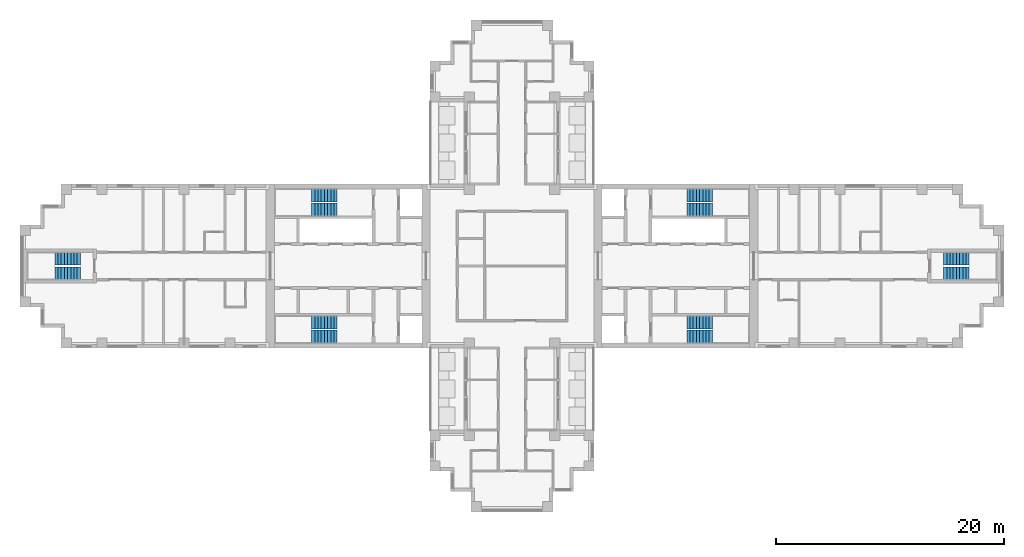
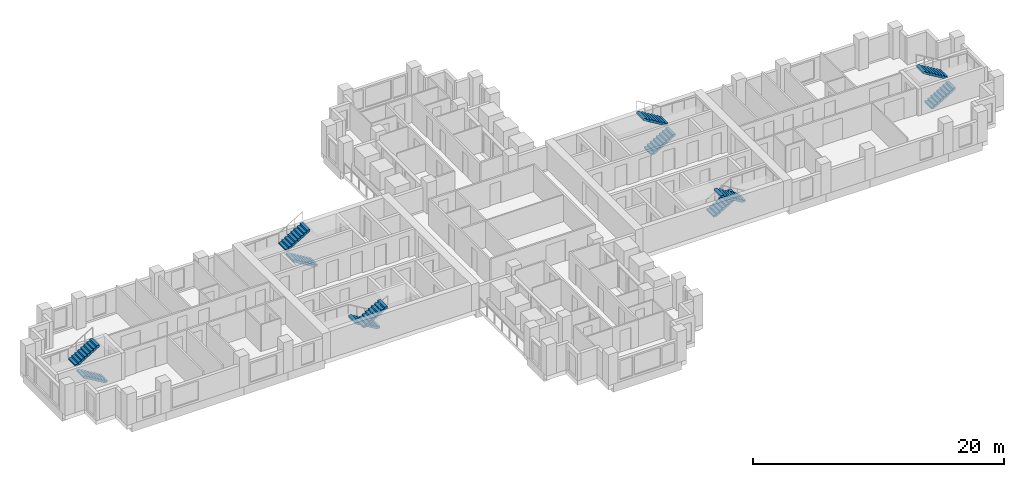
# One storey, part 10 of 12: 12 stair flights, 6 elements without a shape of their own.
"""IFC4 building model written with IfcOpenShell, lengths in metres."""

from ifc_helpers import new_model, si_unit, direction, frame, origin, place, context, subcontext, project, spatial, polyline, outline, extrude, material, type_object, element, aggregate, save


model = new_model("IFC4")

# Units and contexts
model_context = context("Model", 3, precision=1e-05, world=origin(), true_north=direction((0.0, 1.0)))
body_context = subcontext(model_context, "Body", "Model", "MODEL_VIEW")
ifc_project = project(units=[si_unit("LENGTHUNIT", "METRE"), si_unit("AREAUNIT", "SQUARE_METRE"), si_unit("VOLUMEUNIT", "CUBIC_METRE"), si_unit("PLANEANGLEUNIT", "RADIAN"), si_unit("MASSUNIT", "GRAM", prefix="KILO")], contexts=[model_context])

# Site, building, storey
site_placement = place(None, origin())
site = spatial("IfcSite", under=ifc_project, at=site_placement, CompositionType="ELEMENT")
building_placement = place(site_placement, origin())
building = spatial("IfcBuilding", under=site, at=building_placement, Name="Fustian Cross Tower", CompositionType="ELEMENT")
storey_placement = place(building_placement, frame((0.0, 0.0, 147.300048828125)))
storey = spatial("IfcBuildingStorey", under=building, at=storey_placement, Name="L46", CompositionType="ELEMENT", Elevation=147.300048828125)

# Stair, stair flights
ifc_material_1 = material(Name="Concrete C50/60", Category="concrete")
stair_type_1 = type_object("IfcStairType", Name="STAIR 1100 HALF TURN", PredefinedType="HALF_TURN_STAIR", material=ifc_material_1)
stair_1_placement = place(storey_placement, origin())
stair_1 = element("IfcStair", 1, at=stair_1_placement, inside=storey, type_object=stair_type_1, Name="Stair ST8", PredefinedType="HALF_TURN_STAIR")
ifc_material_2 = material(Name="Concrete C50/60", Category="concrete")
stair_flight_type_1 = type_object("IfcStairFlightType", Name="STAIR FLIGHT 1100", PredefinedType="STRAIGHT", material=ifc_material_2)
stair_flight_1_placement = place(storey_placement, frame((37.89990234375, -0.64990234375, 0.0), z_axis=(0.0, 0.0, 1.0), x_axis=(1.0, 0.0, 0.0)))
stair_flight_1 = element("IfcStairFlight", 2, at=stair_flight_1_placement, type_object=stair_flight_type_1, Name="ST8 flight 1", NumberOfRisers=9, NumberOfTreads=8, PredefinedType="STRAIGHT", RiserHeight=0.166666667, TreadLength=0.28, context=body_context, shape_type="SweptSolid", body=[
    extrude(outline(polyline([(0.0, 0.0), (0.0, 0.166748046875), (0.280029296875, 0.166748046875), (0.280029296875, 0.333251953125), (0.56005859375, 0.333251953125), (0.56005859375, 0.5), (0.840087890625, 0.5), (0.840087890625, 0.666748046875), (1.1201171875, 0.666748046875), (1.1201171875, 0.833251953125), (1.39990234375, 0.833251953125), (1.39990234375, 1.0), (1.679931640625, 1.0), (1.679931640625, 1.166748046875), (1.9599609375, 1.166748046875), (1.9599609375, 1.333251953125), (2.239990234375, 1.333251953125), (2.239990234375, 1.5), (2.239990234375, 1.158935546875), (0.29296875, 0.0), (0.0, 0.0)])), frame((0.0, 0.550048828125, 0.0), z_axis=(0.0, -1.0, 0.0), x_axis=(1.0, 0.0, 0.0)), (0.0, 0.0, 1.0), 1.10009765625),
])
stair_flight_2_placement = place(storey_placement, frame((40.139892578125, 0.64990234375, 1.5), z_axis=(0.0, 0.0, 1.0), x_axis=(-1.0, 0.0, 0.0)))
stair_flight_2 = element("IfcStairFlight", 3, at=stair_flight_2_placement, type_object=stair_flight_type_1, Name="ST8 flight 2", NumberOfRisers=9, NumberOfTreads=8, PredefinedType="STRAIGHT", RiserHeight=0.166666667, TreadLength=0.28, context=body_context, shape_type="SweptSolid", body=[
    extrude(outline(polyline([(0.0, 0.0), (0.0, 0.166748046875), (0.280029296875, 0.166748046875), (0.280029296875, 0.333251953125), (0.56005859375, 0.333251953125), (0.56005859375, 0.5), (0.840087890625, 0.5), (0.840087890625, 0.666748046875), (1.1201171875, 0.666748046875), (1.1201171875, 0.833251953125), (1.39990234375, 0.833251953125), (1.39990234375, 1.0), (1.679931640625, 1.0), (1.679931640625, 1.166748046875), (1.9599609375, 1.166748046875), (1.9599609375, 1.333251953125), (2.239990234375, 1.333251953125), (2.239990234375, 1.5), (2.239990234375, 1.158935546875), (0.29296875, 0.0), (0.0, 0.0)])), frame((0.0, 0.550048828125, 0.0), z_axis=(0.0, -1.0, 0.0), x_axis=(1.0, 0.0, 0.0)), (0.0, 0.0, 1.0), 1.10009765625),
])
aggregate(stair_1, [stair_flight_1, stair_flight_2])

stair_2_placement = place(storey_placement, origin())
stair_2 = element("IfcStair", 4, at=stair_2_placement, inside=storey, type_object=stair_type_1, Name="Stair ST9", PredefinedType="HALF_TURN_STAIR")
stair_flight_3_placement = place(storey_placement, frame((-37.89990234375, -0.64990234375, 0.0), z_axis=(0.0, 0.0, 1.0), x_axis=(-1.0, 0.0, 0.0)))
stair_flight_3 = element("IfcStairFlight", 5, at=stair_flight_3_placement, type_object=stair_flight_type_1, Name="ST9 flight 1", NumberOfRisers=9, NumberOfTreads=8, PredefinedType="STRAIGHT", RiserHeight=0.166666667, TreadLength=0.28, context=body_context, shape_type="SweptSolid", body=[
    extrude(outline(polyline([(0.0, 0.0), (0.0, 0.166748046875), (0.280029296875, 0.166748046875), (0.280029296875, 0.333251953125), (0.56005859375, 0.333251953125), (0.56005859375, 0.5), (0.840087890625, 0.5), (0.840087890625, 0.666748046875), (1.1201171875, 0.666748046875), (1.1201171875, 0.833251953125), (1.39990234375, 0.833251953125), (1.39990234375, 1.0), (1.679931640625, 1.0), (1.679931640625, 1.166748046875), (1.9599609375, 1.166748046875), (1.9599609375, 1.333251953125), (2.239990234375, 1.333251953125), (2.239990234375, 1.5), (2.239990234375, 1.158935546875), (0.29296875, 0.0), (0.0, 0.0)])), frame((0.0, 0.550048828125, 0.0), z_axis=(0.0, -1.0, 0.0), x_axis=(1.0, 0.0, 0.0)), (0.0, 0.0, 1.0), 1.10009765625),
])
stair_flight_4_placement = place(storey_placement, frame((-40.139892578125, 0.64990234375, 1.5), z_axis=(0.0, 0.0, 1.0), x_axis=(1.0, 0.0, 0.0)))
stair_flight_4 = element("IfcStairFlight", 6, at=stair_flight_4_placement, type_object=stair_flight_type_1, Name="ST9 flight 2", NumberOfRisers=9, NumberOfTreads=8, PredefinedType="STRAIGHT", RiserHeight=0.166666667, TreadLength=0.28, context=body_context, shape_type="SweptSolid", body=[
    extrude(outline(polyline([(0.0, 0.0), (0.0, 0.166748046875), (0.280029296875, 0.166748046875), (0.280029296875, 0.333251953125), (0.56005859375, 0.333251953125), (0.56005859375, 0.5), (0.840087890625, 0.5), (0.840087890625, 0.666748046875), (1.1201171875, 0.666748046875), (1.1201171875, 0.833251953125), (1.39990234375, 0.833251953125), (1.39990234375, 1.0), (1.679931640625, 1.0), (1.679931640625, 1.166748046875), (1.9599609375, 1.166748046875), (1.9599609375, 1.333251953125), (2.239990234375, 1.333251953125), (2.239990234375, 1.5), (2.239990234375, 1.158935546875), (0.29296875, 0.0), (0.0, 0.0)])), frame((0.0, 0.550048828125, 0.0), z_axis=(0.0, -1.0, 0.0), x_axis=(1.0, 0.0, 0.0)), (0.0, 0.0, 1.0), 1.10009765625),
])
aggregate(stair_2, [stair_flight_3, stair_flight_4])

ifc_material_3 = material(Name="Concrete C50/60", Category="concrete")
stair_type_2 = type_object("IfcStairType", Name="STAIR 1150 HALF TURN", PredefinedType="HALF_TURN_STAIR", material=ifc_material_3)
stair_3_placement = place(storey_placement, origin())
stair_3 = element("IfcStair", 7, at=stair_3_placement, inside=storey, type_object=stair_type_2, Name="Stair ST1", PredefinedType="HALF_TURN_STAIR")
ifc_material_4 = material(Name="Concrete C50/60", Category="concrete")
stair_flight_type_2 = type_object("IfcStairFlightType", Name="STAIR FLIGHT 1150", PredefinedType="STRAIGHT", material=ifc_material_4)
stair_flight_5_placement = place(storey_placement, frame((15.35009765625, 4.97509765625, 0.0), z_axis=(0.0, 0.0, 1.0), x_axis=(1.0, 0.0, 0.0)))
stair_flight_5 = element("IfcStairFlight", 8, at=stair_flight_5_placement, type_object=stair_flight_type_2, Name="ST1 flight 1", NumberOfRisers=9, NumberOfTreads=8, PredefinedType="STRAIGHT", RiserHeight=0.166666667, TreadLength=0.28, context=body_context, shape_type="SweptSolid", body=[
    extrude(outline(polyline([(0.0, 0.0), (0.0, 0.166748046875), (0.280029296875, 0.166748046875), (0.280029296875, 0.333251953125), (0.56005859375, 0.333251953125), (0.56005859375, 0.5), (0.840087890625, 0.5), (0.840087890625, 0.666748046875), (1.1201171875, 0.666748046875), (1.1201171875, 0.833251953125), (1.39990234375, 0.833251953125), (1.39990234375, 1.0), (1.679931640625, 1.0), (1.679931640625, 1.166748046875), (1.9599609375, 1.166748046875), (1.9599609375, 1.333251953125), (2.239990234375, 1.333251953125), (2.239990234375, 1.5), (2.239990234375, 1.158935546875), (0.29296875, 0.0), (0.0, 0.0)])), frame((0.0, 0.574951171875, 0.0), z_axis=(0.0, -1.0, 0.0), x_axis=(1.0, 0.0, 0.0)), (0.0, 0.0, 1.0), 1.14990234375),
])
stair_flight_6_placement = place(storey_placement, frame((17.590087890625, 6.175048828125, 1.5), z_axis=(0.0, 0.0, 1.0), x_axis=(-1.0, 0.0, 0.0)))
stair_flight_6 = element("IfcStairFlight", 9, at=stair_flight_6_placement, type_object=stair_flight_type_2, Name="ST1 flight 2", NumberOfRisers=9, NumberOfTreads=8, PredefinedType="STRAIGHT", RiserHeight=0.166666667, TreadLength=0.28, context=body_context, shape_type="SweptSolid", body=[
    extrude(outline(polyline([(0.0, 0.0), (0.0, 0.166748046875), (0.280029296875, 0.166748046875), (0.280029296875, 0.333251953125), (0.56005859375, 0.333251953125), (0.56005859375, 0.5), (0.840087890625, 0.5), (0.840087890625, 0.666748046875), (1.1201171875, 0.666748046875), (1.1201171875, 0.833251953125), (1.39990234375, 0.833251953125), (1.39990234375, 1.0), (1.679931640625, 1.0), (1.679931640625, 1.166748046875), (1.9599609375, 1.166748046875), (1.9599609375, 1.333251953125), (2.239990234375, 1.333251953125), (2.239990234375, 1.5), (2.239990234375, 1.158935546875), (0.29296875, 0.0), (0.0, 0.0)])), frame((0.0, 0.574951171875, 0.0), z_axis=(0.0, -1.0, 0.0), x_axis=(1.0, 0.0, 0.0)), (0.0, 0.0, 1.0), 1.14990234375),
])
aggregate(stair_3, [stair_flight_5, stair_flight_6])

stair_4_placement = place(storey_placement, origin())
stair_4 = element("IfcStair", 10, at=stair_4_placement, inside=storey, type_object=stair_type_2, Name="Stair ST2", PredefinedType="HALF_TURN_STAIR")
stair_flight_7_placement = place(storey_placement, frame((15.35009765625, -4.97509765625, 0.0), z_axis=(0.0, 0.0, 1.0), x_axis=(1.0, 0.0, 0.0)))
stair_flight_7 = element("IfcStairFlight", 11, at=stair_flight_7_placement, type_object=stair_flight_type_2, Name="ST2 flight 1", NumberOfRisers=9, NumberOfTreads=8, PredefinedType="STRAIGHT", RiserHeight=0.166666667, TreadLength=0.28, context=body_context, shape_type="SweptSolid", body=[
    extrude(outline(polyline([(0.0, 0.0), (0.0, 0.166748046875), (0.280029296875, 0.166748046875), (0.280029296875, 0.333251953125), (0.56005859375, 0.333251953125), (0.56005859375, 0.5), (0.840087890625, 0.5), (0.840087890625, 0.666748046875), (1.1201171875, 0.666748046875), (1.1201171875, 0.833251953125), (1.39990234375, 0.833251953125), (1.39990234375, 1.0), (1.679931640625, 1.0), (1.679931640625, 1.166748046875), (1.9599609375, 1.166748046875), (1.9599609375, 1.333251953125), (2.239990234375, 1.333251953125), (2.239990234375, 1.5), (2.239990234375, 1.158935546875), (0.29296875, 0.0), (0.0, 0.0)])), frame((0.0, 0.574951171875, 0.0), z_axis=(0.0, -1.0, 0.0), x_axis=(1.0, 0.0, 0.0)), (0.0, 0.0, 1.0), 1.14990234375),
])
stair_flight_8_placement = place(storey_placement, frame((17.590087890625, -6.175048828125, 1.5), z_axis=(0.0, 0.0, 1.0), x_axis=(-1.0, 0.0, 0.0)))
stair_flight_8 = element("IfcStairFlight", 12, at=stair_flight_8_placement, type_object=stair_flight_type_2, Name="ST2 flight 2", NumberOfRisers=9, NumberOfTreads=8, PredefinedType="STRAIGHT", RiserHeight=0.166666667, TreadLength=0.28, context=body_context, shape_type="SweptSolid", body=[
    extrude(outline(polyline([(0.0, 0.0), (0.0, 0.166748046875), (0.280029296875, 0.166748046875), (0.280029296875, 0.333251953125), (0.56005859375, 0.333251953125), (0.56005859375, 0.5), (0.840087890625, 0.5), (0.840087890625, 0.666748046875), (1.1201171875, 0.666748046875), (1.1201171875, 0.833251953125), (1.39990234375, 0.833251953125), (1.39990234375, 1.0), (1.679931640625, 1.0), (1.679931640625, 1.166748046875), (1.9599609375, 1.166748046875), (1.9599609375, 1.333251953125), (2.239990234375, 1.333251953125), (2.239990234375, 1.5), (2.239990234375, 1.158935546875), (0.29296875, 0.0), (0.0, 0.0)])), frame((0.0, 0.574951171875, 0.0), z_axis=(0.0, -1.0, 0.0), x_axis=(1.0, 0.0, 0.0)), (0.0, 0.0, 1.0), 1.14990234375),
])
aggregate(stair_4, [stair_flight_7, stair_flight_8])

stair_5_placement = place(storey_placement, origin())
stair_5 = element("IfcStair", 13, at=stair_5_placement, inside=storey, type_object=stair_type_2, Name="Stair ST3", PredefinedType="HALF_TURN_STAIR")
stair_flight_9_placement = place(storey_placement, frame((-15.35009765625, 4.97509765625, 0.0), z_axis=(0.0, 0.0, 1.0), x_axis=(-1.0, 0.0, 0.0)))
stair_flight_9 = element("IfcStairFlight", 14, at=stair_flight_9_placement, type_object=stair_flight_type_2, Name="ST3 flight 1", NumberOfRisers=9, NumberOfTreads=8, PredefinedType="STRAIGHT", RiserHeight=0.166666667, TreadLength=0.28, context=body_context, shape_type="SweptSolid", body=[
    extrude(outline(polyline([(0.0, 0.0), (0.0, 0.166748046875), (0.280029296875, 0.166748046875), (0.280029296875, 0.333251953125), (0.56005859375, 0.333251953125), (0.56005859375, 0.5), (0.840087890625, 0.5), (0.840087890625, 0.666748046875), (1.1201171875, 0.666748046875), (1.1201171875, 0.833251953125), (1.39990234375, 0.833251953125), (1.39990234375, 1.0), (1.679931640625, 1.0), (1.679931640625, 1.166748046875), (1.9599609375, 1.166748046875), (1.9599609375, 1.333251953125), (2.239990234375, 1.333251953125), (2.239990234375, 1.5), (2.239990234375, 1.158935546875), (0.29296875, 0.0), (0.0, 0.0)])), frame((0.0, 0.574951171875, 0.0), z_axis=(0.0, -1.0, 0.0), x_axis=(1.0, 0.0, 0.0)), (0.0, 0.0, 1.0), 1.14990234375),
])
stair_flight_10_placement = place(storey_placement, frame((-17.590087890625, 6.175048828125, 1.5), z_axis=(0.0, 0.0, 1.0), x_axis=(1.0, 0.0, 0.0)))
stair_flight_10 = element("IfcStairFlight", 15, at=stair_flight_10_placement, type_object=stair_flight_type_2, Name="ST3 flight 2", NumberOfRisers=9, NumberOfTreads=8, PredefinedType="STRAIGHT", RiserHeight=0.166666667, TreadLength=0.28, context=body_context, shape_type="SweptSolid", body=[
    extrude(outline(polyline([(0.0, 0.0), (0.0, 0.166748046875), (0.280029296875, 0.166748046875), (0.280029296875, 0.333251953125), (0.56005859375, 0.333251953125), (0.56005859375, 0.5), (0.840087890625, 0.5), (0.840087890625, 0.666748046875), (1.1201171875, 0.666748046875), (1.1201171875, 0.833251953125), (1.39990234375, 0.833251953125), (1.39990234375, 1.0), (1.679931640625, 1.0), (1.679931640625, 1.166748046875), (1.9599609375, 1.166748046875), (1.9599609375, 1.333251953125), (2.239990234375, 1.333251953125), (2.239990234375, 1.5), (2.239990234375, 1.158935546875), (0.29296875, 0.0), (0.0, 0.0)])), frame((0.0, 0.574951171875, 0.0), z_axis=(0.0, -1.0, 0.0), x_axis=(1.0, 0.0, 0.0)), (0.0, 0.0, 1.0), 1.14990234375),
])
aggregate(stair_5, [stair_flight_9, stair_flight_10])

stair_6_placement = place(storey_placement, origin())
stair_6 = element("IfcStair", 16, at=stair_6_placement, inside=storey, type_object=stair_type_2, Name="Stair ST4", PredefinedType="HALF_TURN_STAIR")
stair_flight_11_placement = place(storey_placement, frame((-15.35009765625, -4.97509765625, 0.0), z_axis=(0.0, 0.0, 1.0), x_axis=(-1.0, 0.0, 0.0)))
stair_flight_11 = element("IfcStairFlight", 17, at=stair_flight_11_placement, type_object=stair_flight_type_2, Name="ST4 flight 1", NumberOfRisers=9, NumberOfTreads=8, PredefinedType="STRAIGHT", RiserHeight=0.166666667, TreadLength=0.28, context=body_context, shape_type="SweptSolid", body=[
    extrude(outline(polyline([(0.0, 0.0), (0.0, 0.166748046875), (0.280029296875, 0.166748046875), (0.280029296875, 0.333251953125), (0.56005859375, 0.333251953125), (0.56005859375, 0.5), (0.840087890625, 0.5), (0.840087890625, 0.666748046875), (1.1201171875, 0.666748046875), (1.1201171875, 0.833251953125), (1.39990234375, 0.833251953125), (1.39990234375, 1.0), (1.679931640625, 1.0), (1.679931640625, 1.166748046875), (1.9599609375, 1.166748046875), (1.9599609375, 1.333251953125), (2.239990234375, 1.333251953125), (2.239990234375, 1.5), (2.239990234375, 1.158935546875), (0.29296875, 0.0), (0.0, 0.0)])), frame((0.0, 0.574951171875, 0.0), z_axis=(0.0, -1.0, 0.0), x_axis=(1.0, 0.0, 0.0)), (0.0, 0.0, 1.0), 1.14990234375),
])
stair_flight_12_placement = place(storey_placement, frame((-17.590087890625, -6.175048828125, 1.5), z_axis=(0.0, 0.0, 1.0), x_axis=(1.0, 0.0, 0.0)))
stair_flight_12 = element("IfcStairFlight", 18, at=stair_flight_12_placement, type_object=stair_flight_type_2, Name="ST4 flight 2", NumberOfRisers=9, NumberOfTreads=8, PredefinedType="STRAIGHT", RiserHeight=0.166666667, TreadLength=0.28, context=body_context, shape_type="SweptSolid", body=[
    extrude(outline(polyline([(0.0, 0.0), (0.0, 0.166748046875), (0.280029296875, 0.166748046875), (0.280029296875, 0.333251953125), (0.56005859375, 0.333251953125), (0.56005859375, 0.5), (0.840087890625, 0.5), (0.840087890625, 0.666748046875), (1.1201171875, 0.666748046875), (1.1201171875, 0.833251953125), (1.39990234375, 0.833251953125), (1.39990234375, 1.0), (1.679931640625, 1.0), (1.679931640625, 1.166748046875), (1.9599609375, 1.166748046875), (1.9599609375, 1.333251953125), (2.239990234375, 1.333251953125), (2.239990234375, 1.5), (2.239990234375, 1.158935546875), (0.29296875, 0.0), (0.0, 0.0)])), frame((0.0, 0.574951171875, 0.0), z_axis=(0.0, -1.0, 0.0), x_axis=(1.0, 0.0, 0.0)), (0.0, 0.0, 1.0), 1.14990234375),
])
aggregate(stair_6, [stair_flight_11, stair_flight_12])

save(model, "model.ifc")
